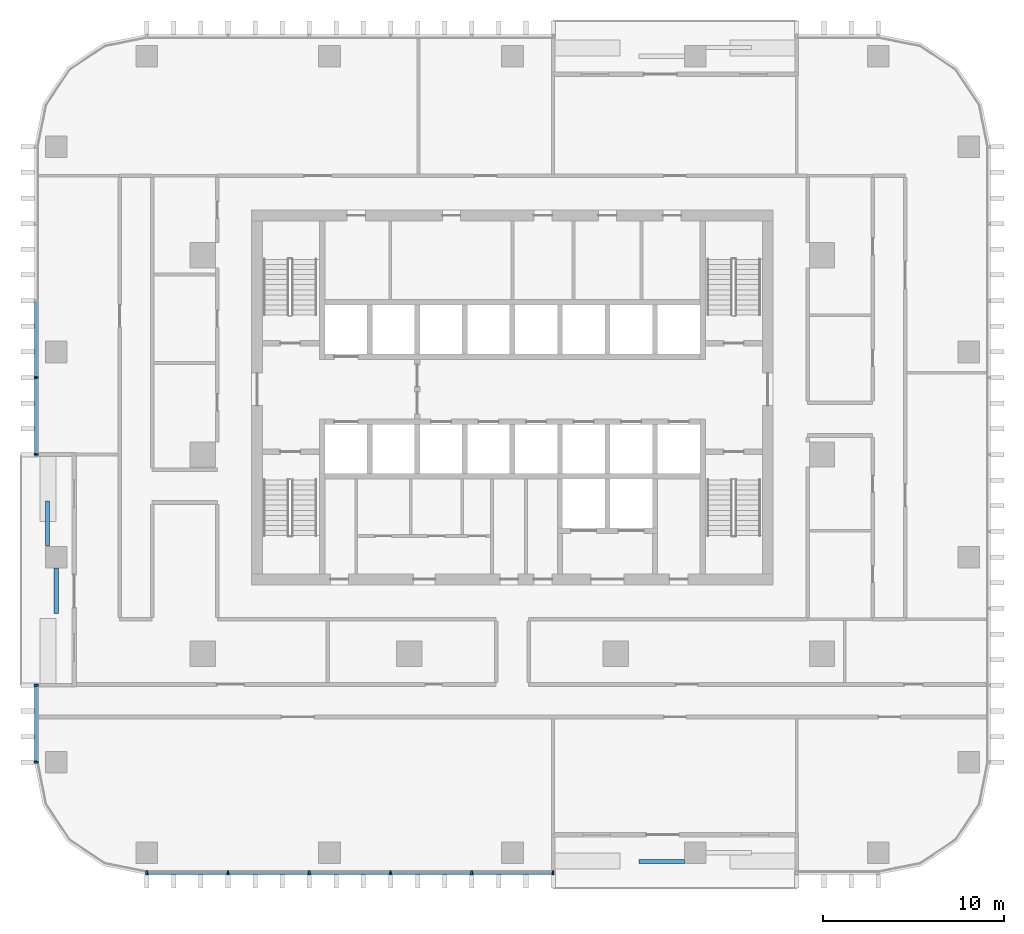
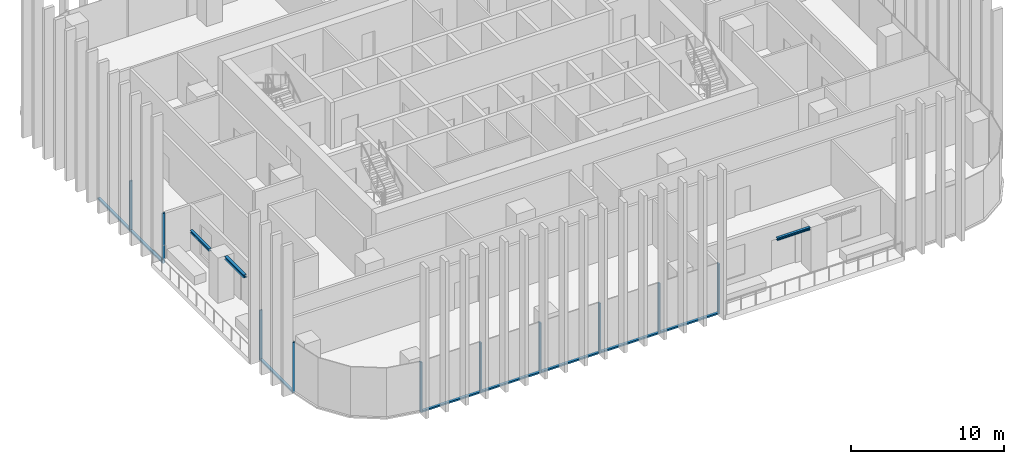
# One storey, part 2 of 16: 18 members, 3 beams, 3 elements without a shape of their own.
"""IFC4 building model written with IfcOpenShell, lengths in metres."""

from ifc_helpers import new_model, si_unit, direction, frame, origin, origin_2d, place, context, subcontext, project, spatial, rectangle, i_section, extrude, material, material_profile, profile_set, type_object, element, aggregate, save


model = new_model("IFC4")

# Units and contexts
model_context = context("Model", 3, precision=1e-05, world=origin(), true_north=direction((0.0, 1.0)))
body_context = subcontext(model_context, "Body", "Model", "MODEL_VIEW")
ifc_project = project(units=[si_unit("LENGTHUNIT", "METRE"), si_unit("AREAUNIT", "SQUARE_METRE"), si_unit("VOLUMEUNIT", "CUBIC_METRE"), si_unit("PLANEANGLEUNIT", "RADIAN"), si_unit("MASSUNIT", "GRAM", prefix="KILO")], contexts=[model_context])

# Site, building, storey
site_placement = place(None, origin())
site = spatial("IfcSite", under=ifc_project, at=site_placement, CompositionType="ELEMENT")
building_placement = place(site_placement, origin())
building = spatial("IfcBuilding", under=site, at=building_placement, Name="Mopane Tessera Tower", CompositionType="ELEMENT")
storey_placement = place(building_placement, frame((0.0, 0.0, 181.0)))
storey = spatial("IfcBuildingStorey", under=building, at=storey_placement, Name="L37", CompositionType="ELEMENT", Elevation=181.0)

# Curtain wall, members
ifc_material_1 = material(Name="Aluminium frame", Category="aluminium")
curtain_wall_type = type_object("IfcCurtainWallType", Name="Unitised curtain wall", PredefinedType="NOTDEFINED", material=ifc_material_1)
curtain_wall_1_placement = place(storey_placement, origin())
curtain_wall_1 = element("IfcCurtainWall", 1, at=curtain_wall_1_placement, inside=storey, type_object=curtain_wall_type, Name="e:cw:L37:S:0", PredefinedType="NOTDEFINED")
ifc_material_2 = material(Name="Aluminium frame", Category="aluminium")
ifc_material_profile_1 = material_profile(ifc_material_2, rectangle(XDim=0.10009765625, YDim=0.199951171875, at=origin_2d()))
ifc_profile_set_1 = profile_set([ifc_material_profile_1], Name="Aluminium frame")
member_type_1 = type_object("IfcMemberType", Name="Aluminium mullion 100 x 200", PredefinedType="MULLION", material=ifc_profile_set_1)
member_1_placement = place(storey_placement, frame((-20.199951171875, -23.10009765625, -0.39990234375), z_axis=(0.0, 0.0, 1.0), x_axis=(1.0, 0.0, 0.0)))
member_1 = element("IfcMember", 2, at=member_1_placement, type_object=member_type_1, Name="e:cw:L37:S:0:mu0", PredefinedType="MULLION", context=body_context, shape_type="SweptSolid", body=[
    extrude(rectangle(XDim=0.10009765625, YDim=0.199951171875, at=origin_2d()), origin(), (0.0, 0.0, 1.0), 4.0),
])
member_2_placement = place(storey_placement, frame((-15.711181640625, -23.10009765625, -0.39990234375), z_axis=(0.0, 0.0, 1.0), x_axis=(1.0, 0.0, 0.0)))
member_2 = element("IfcMember", 3, at=member_2_placement, type_object=member_type_1, Name="e:cw:L37:S:0:mu1", PredefinedType="MULLION", context=body_context, shape_type="SweptSolid", body=[
    extrude(rectangle(XDim=0.10009765625, YDim=0.199951171875, at=origin_2d()), origin(), (0.0, 0.0, 1.0), 4.0),
])
member_3_placement = place(storey_placement, frame((-11.22216796875, -23.10009765625, -0.39990234375), z_axis=(0.0, 0.0, 1.0), x_axis=(1.0, 0.0, 0.0)))
member_3 = element("IfcMember", 4, at=member_3_placement, type_object=member_type_1, Name="e:cw:L37:S:0:mu2", PredefinedType="MULLION", context=body_context, shape_type="SweptSolid", body=[
    extrude(rectangle(XDim=0.10009765625, YDim=0.199951171875, at=origin_2d()), origin(), (0.0, 0.0, 1.0), 4.0),
])
member_4_placement = place(storey_placement, frame((-6.7333984375, -23.10009765625, -0.39990234375), z_axis=(0.0, 0.0, 1.0), x_axis=(1.0, 0.0, 0.0)))
member_4 = element("IfcMember", 5, at=member_4_placement, type_object=member_type_1, Name="e:cw:L37:S:0:mu3", PredefinedType="MULLION", context=body_context, shape_type="SweptSolid", body=[
    extrude(rectangle(XDim=0.10009765625, YDim=0.199951171875, at=origin_2d()), origin(), (0.0, 0.0, 1.0), 4.0),
])
member_5_placement = place(storey_placement, frame((-2.244384765625, -23.10009765625, -0.39990234375), z_axis=(0.0, 0.0, 1.0), x_axis=(1.0, 0.0, 0.0)))
member_5 = element("IfcMember", 6, at=member_5_placement, type_object=member_type_1, Name="e:cw:L37:S:0:mu4", PredefinedType="MULLION", context=body_context, shape_type="SweptSolid", body=[
    extrude(rectangle(XDim=0.10009765625, YDim=0.199951171875, at=origin_2d()), origin(), (0.0, 0.0, 1.0), 4.0),
])
member_6_placement = place(storey_placement, frame((2.244384765625, -23.10009765625, -0.39990234375), z_axis=(0.0, 0.0, 1.0), x_axis=(1.0, 0.0, 0.0)))
member_6 = element("IfcMember", 7, at=member_6_placement, type_object=member_type_1, Name="e:cw:L37:S:0:mu5", PredefinedType="MULLION", context=body_context, shape_type="SweptSolid", body=[
    extrude(rectangle(XDim=0.10009765625, YDim=0.199951171875, at=origin_2d()), origin(), (0.0, 0.0, 1.0), 4.0),
])

curtain_wall_2_placement = place(storey_placement, origin())
curtain_wall_2 = element("IfcCurtainWall", 8, at=curtain_wall_2_placement, inside=storey, type_object=curtain_wall_type, Name="e:cw:L37:W:0", PredefinedType="NOTDEFINED")
member_7_placement = place(storey_placement, frame((-26.300048828125, 4.25, -0.39990234375), z_axis=(0.0, 0.0, 1.0), x_axis=(0.0, -1.0, 0.0)))
member_7 = element("IfcMember", 9, at=member_7_placement, type_object=member_type_1, Name="e:cw:L37:W:0:mu3", PredefinedType="MULLION", context=body_context, shape_type="SweptSolid", body=[
    extrude(rectangle(XDim=0.10009765625, YDim=0.199951171875, at=origin_2d()), origin(), (0.0, 0.0, 1.0), 4.0),
])
member_8_placement = place(storey_placement, frame((-26.300048828125, 0.0, -0.39990234375), z_axis=(0.0, 0.0, 1.0), x_axis=(0.0, -1.0, 0.0)))
member_8 = element("IfcMember", 10, at=member_8_placement, type_object=member_type_1, Name="e:cw:L37:W:0:mu4", PredefinedType="MULLION", context=body_context, shape_type="SweptSolid", body=[
    extrude(rectangle(XDim=0.10009765625, YDim=0.199951171875, at=origin_2d()), origin(), (0.0, 0.0, 1.0), 4.0),
])

curtain_wall_3_placement = place(storey_placement, origin())
curtain_wall_3 = element("IfcCurtainWall", 11, at=curtain_wall_3_placement, inside=storey, type_object=curtain_wall_type, Name="e:cw:L37:W:7", PredefinedType="NOTDEFINED")
member_9_placement = place(storey_placement, frame((-26.300048828125, -12.75, -0.39990234375), z_axis=(0.0, 0.0, 1.0), x_axis=(0.0, -1.0, 0.0)))
member_9 = element("IfcMember", 12, at=member_9_placement, type_object=member_type_1, Name="e:cw:L37:W:7:mu7", PredefinedType="MULLION", context=body_context, shape_type="SweptSolid", body=[
    extrude(rectangle(XDim=0.10009765625, YDim=0.199951171875, at=origin_2d()), origin(), (0.0, 0.0, 1.0), 4.0),
])
member_10_placement = place(storey_placement, frame((-26.300048828125, -17.0, -0.39990234375), z_axis=(0.0, 0.0, 1.0), x_axis=(0.0, -1.0, 0.0)))
member_10 = element("IfcMember", 13, at=member_10_placement, type_object=member_type_1, Name="e:cw:L37:W:7:mu8", PredefinedType="MULLION", context=body_context, shape_type="SweptSolid", body=[
    extrude(rectangle(XDim=0.10009765625, YDim=0.199951171875, at=origin_2d()), origin(), (0.0, 0.0, 1.0), 4.0),
])

# Member
ifc_material_3 = material(Name="Aluminium frame", Category="aluminium")
ifc_material_profile_2 = material_profile(ifc_material_3, rectangle(XDim=0.199951171875, YDim=0.1201171875, at=origin_2d()))
ifc_profile_set_2 = profile_set([ifc_material_profile_2], Name="Aluminium frame")
member_type_2 = type_object("IfcMemberType", Name="Aluminium transom 200 x 120", PredefinedType="USERDEFINED", material=ifc_profile_set_2)
member_11_placement = place(storey_placement, frame((-20.14990234375, -23.10009765625, -0.340087890625), z_axis=(1.0, 0.0, 0.0), x_axis=(0.0, 1.0, 0.0)))
member_11 = element("IfcMember", 14, at=member_11_placement, type_object=member_type_2, Name="e:cw:L37:S:0:tr0", ObjectType="TRANSOM", PredefinedType="USERDEFINED", context=body_context, shape_type="SweptSolid", body=[
    extrude(rectangle(XDim=0.199951171875, YDim=0.1201171875, at=origin_2d()), origin(), (0.0, 0.0, 1.0), 4.388671875),
])

member_12_placement = place(storey_placement, frame((-15.6611328125, -23.10009765625, -0.340087890625), z_axis=(1.0, 0.0, 0.0), x_axis=(0.0, 1.0, 0.0)))
member_12 = element("IfcMember", 15, at=member_12_placement, type_object=member_type_2, Name="e:cw:L37:S:0:tr1", ObjectType="TRANSOM", PredefinedType="USERDEFINED", context=body_context, shape_type="SweptSolid", body=[
    extrude(rectangle(XDim=0.199951171875, YDim=0.1201171875, at=origin_2d()), origin(), (0.0, 0.0, 1.0), 4.388916015625),
])

member_13_placement = place(storey_placement, frame((-11.172119140625, -23.10009765625, -0.340087890625), z_axis=(1.0, 0.0, 0.0), x_axis=(0.0, 1.0, 0.0)))
member_13 = element("IfcMember", 16, at=member_13_placement, type_object=member_type_2, Name="e:cw:L37:S:0:tr2", ObjectType="TRANSOM", PredefinedType="USERDEFINED", context=body_context, shape_type="SweptSolid", body=[
    extrude(rectangle(XDim=0.199951171875, YDim=0.1201171875, at=origin_2d()), origin(), (0.0, 0.0, 1.0), 4.388671875),
])

member_14_placement = place(storey_placement, frame((-6.683349609375, -23.10009765625, -0.340087890625), z_axis=(1.0, 0.0, 0.0), x_axis=(0.0, 1.0, 0.0)))
member_14 = element("IfcMember", 17, at=member_14_placement, type_object=member_type_2, Name="e:cw:L37:S:0:tr3", ObjectType="TRANSOM", PredefinedType="USERDEFINED", context=body_context, shape_type="SweptSolid", body=[
    extrude(rectangle(XDim=0.199951171875, YDim=0.1201171875, at=origin_2d()), origin(), (0.0, 0.0, 1.0), 4.388916015625),
])

member_15_placement = place(storey_placement, frame((-2.1943359375, -23.10009765625, -0.340087890625), z_axis=(1.0, 0.0, 0.0), x_axis=(0.0, 1.0, 0.0)))
member_15 = element("IfcMember", 18, at=member_15_placement, type_object=member_type_2, Name="e:cw:L37:S:0:tr4", ObjectType="TRANSOM", PredefinedType="USERDEFINED", context=body_context, shape_type="SweptSolid", body=[
    extrude(rectangle(XDim=0.199951171875, YDim=0.1201171875, at=origin_2d()), origin(), (0.0, 0.0, 1.0), 4.388671875),
])

aggregate(curtain_wall_1, [member_1, member_2, member_3, member_4, member_5, member_6, member_11, member_12, member_13, member_14, member_15])

member_16_placement = place(storey_placement, frame((-26.300048828125, 8.449951171875, -0.340087890625), z_axis=(0.0, -1.0, 0.0), x_axis=(1.0, 0.0, 0.0)))
member_16 = element("IfcMember", 19, at=member_16_placement, type_object=member_type_2, Name="e:cw:L37:W:0:tr2", ObjectType="TRANSOM", PredefinedType="USERDEFINED", context=body_context, shape_type="SweptSolid", body=[
    extrude(rectangle(XDim=0.199951171875, YDim=0.1201171875, at=origin_2d()), origin(), (0.0, 0.0, 1.0), 4.14990234375),
])

member_17_placement = place(storey_placement, frame((-26.300048828125, 4.199951171875, -0.340087890625), z_axis=(0.0, -1.0, 0.0), x_axis=(1.0, 0.0, 0.0)))
member_17 = element("IfcMember", 20, at=member_17_placement, type_object=member_type_2, Name="e:cw:L37:W:0:tr3", ObjectType="TRANSOM", PredefinedType="USERDEFINED", context=body_context, shape_type="SweptSolid", body=[
    extrude(rectangle(XDim=0.199951171875, YDim=0.1201171875, at=origin_2d()), origin(), (0.0, 0.0, 1.0), 4.14990234375),
])

aggregate(curtain_wall_2, [member_7, member_8, member_16, member_17])

member_18_placement = place(storey_placement, frame((-26.300048828125, -12.800048828125, -0.340087890625), z_axis=(0.0, -1.0, 0.0), x_axis=(1.0, 0.0, 0.0)))
member_18 = element("IfcMember", 21, at=member_18_placement, type_object=member_type_2, Name="e:cw:L37:W:7:tr7", ObjectType="TRANSOM", PredefinedType="USERDEFINED", context=body_context, shape_type="SweptSolid", body=[
    extrude(rectangle(XDim=0.199951171875, YDim=0.1201171875, at=origin_2d()), origin(), (0.0, 0.0, 1.0), 4.14990234375),
])

aggregate(curtain_wall_3, [member_9, member_10, member_18])

# Beams
ifc_material_4 = material(Name="Structural steel S460", Category="steel")
ifc_material_profile_3 = material_profile(ifc_material_4, i_section(OverallWidth=0.239990234375, OverallDepth=0.239990234375, WebThickness=0.010009765625, FlangeThickness=0.01708984375, FilletRadius=0.02099609375, at=origin_2d()))
ifc_profile_set_3 = profile_set([ifc_material_profile_3], Name="Structural steel S460")
beam_type_1 = type_object("IfcBeamType", Name="Terrace spandrel beam HE 240 B", PredefinedType="SPANDREL", material=ifc_profile_set_3)
beam_placement = place(storey_placement, frame((-25.199951171875, -6.269775390625, 3.47998046875), z_axis=(0.0, -1.0, 0.0), x_axis=(1.0, 0.0, 0.0)))
element("IfcBeam", 22, at=beam_placement, inside=storey, type_object=beam_type_1, Name="Terrace spandrel beam N1 L38", PredefinedType="SPANDREL", context=body_context, shape_type="SweptSolid", body=[
    extrude(i_section(OverallWidth=0.239990234375, OverallDepth=0.239990234375, WebThickness=0.010009765625, FlangeThickness=0.01708984375, FilletRadius=0.02099609375, at=origin_2d()), origin(), (0.0, 0.0, 1.0), 2.5),
])
ifc_material_5 = material(Name="Structural steel S460", Category="steel")
ifc_material_profile_4 = material_profile(ifc_material_5, i_section(OverallWidth=0.199951171875, OverallDepth=0.199951171875, WebThickness=0.009033203125, FlangeThickness=0.014892578125, FilletRadius=0.01806640625, at=origin_2d()))
ifc_profile_set_4 = profile_set([ifc_material_profile_4], Name="Structural steel S460")
beam_type_2 = type_object("IfcBeamType", Name="Terrace trimmer beam HE 200 B", PredefinedType="BEAM", material=ifc_profile_set_4)
for number, where, z_axis, x_axis, name in (
    (23, (-25.679931640625, -5.063720703125, 3.5), (0.0, 1.0, 0.0), (-1.0, 0.0, 0.0), "Terrace trimmer beam N1 L38"),
    (24, (9.4970703125, -22.47998046875, 3.5), (-1.0, 0.0, 0.0), (0.0, -1.0, 0.0), "Terrace trimmer beam N2 L38"),
):
    element("IfcBeam", number, at=place(storey_placement, frame(where, z_axis=z_axis, x_axis=x_axis)), inside=storey, type_object=beam_type_2, Name=name, PredefinedType="BEAM", context=body_context, shape_type="SweptSolid", body=[
        extrude(i_section(OverallWidth=0.199951171875, OverallDepth=0.199951171875, WebThickness=0.009033203125, FlangeThickness=0.014892578125, FilletRadius=0.01806640625, at=origin_2d()), origin(), (0.0, 0.0, 1.0), 2.5),
    ])

save(model, "model.ifc")
